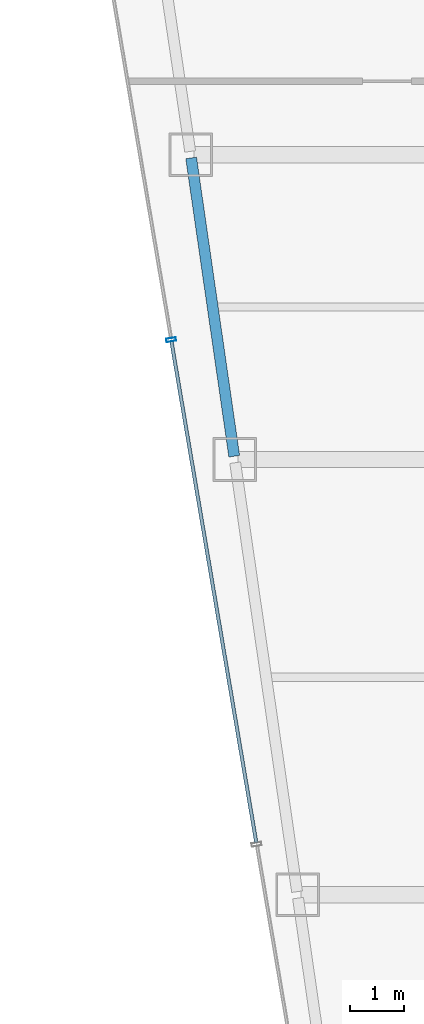
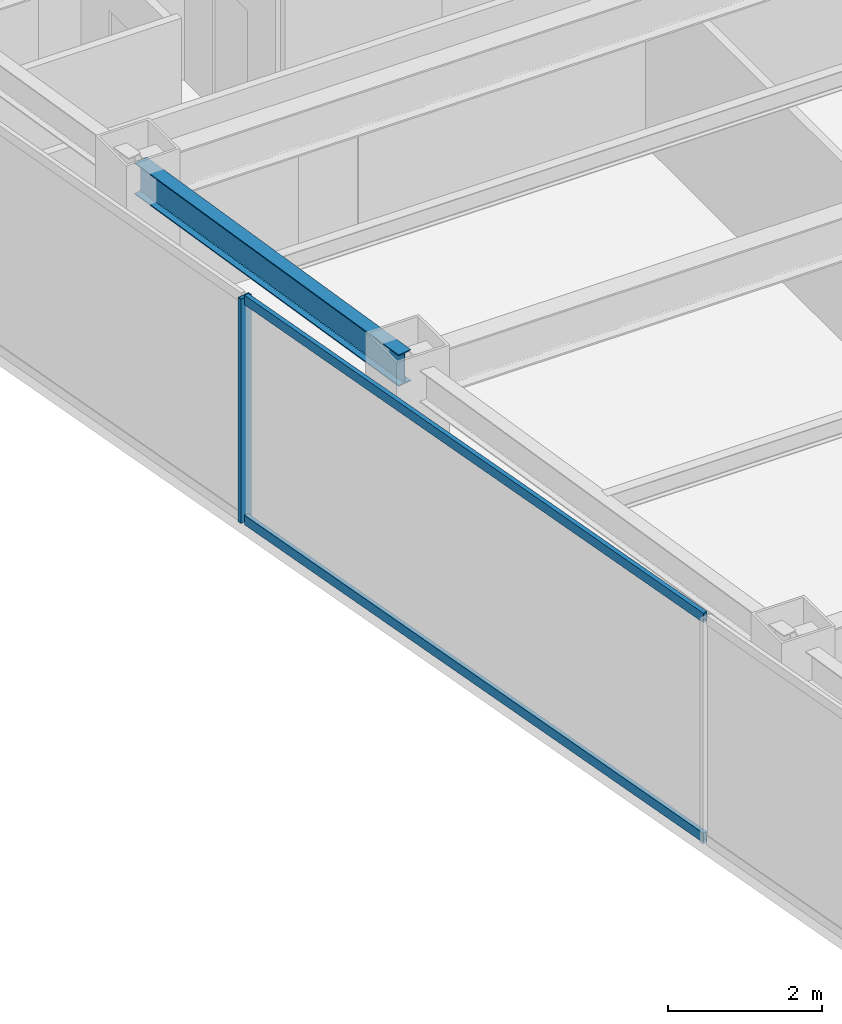
# One storey, part 9 of 35: 3 members, 1 beam, 1 element without a shape of its own.
"""IFC4 building model written with IfcOpenShell, lengths in metres."""

from ifc_helpers import new_model, si_unit, direction, frame, origin, origin_2d, place, context, subcontext, project, spatial, hollow_rectangle, i_section, extrude, material, material_profile, profile_set, type_object, element, aggregate, save


model = new_model("IFC4")

# Units and contexts
model_context = context("Model", 3, precision=1e-05, world=origin(), true_north=direction((0.0, 1.0)))
body_context = subcontext(model_context, "Body", "Model", "MODEL_VIEW")
ifc_project = project(units=[si_unit("LENGTHUNIT", "METRE"), si_unit("AREAUNIT", "SQUARE_METRE"), si_unit("VOLUMEUNIT", "CUBIC_METRE"), si_unit("PLANEANGLEUNIT", "RADIAN"), si_unit("MASSUNIT", "GRAM", prefix="KILO")], contexts=[model_context])

# Site, building, storey
site_placement = place(None, origin())
site = spatial("IfcSite", under=ifc_project, at=site_placement, CompositionType="ELEMENT")
building_placement = place(site_placement, origin())
building = spatial("IfcBuilding", under=site, at=building_placement, Name="Saevonmaru Cultural Tower", CompositionType="ELEMENT")
storey_placement = place(building_placement, frame((0.0, 0.0, 213.199951171875)))
storey = spatial("IfcBuildingStorey", under=building, at=storey_placement, Name="L49", CompositionType="ELEMENT", Elevation=213.199951171875)

# Beam
ifc_material_1 = material(Name="Steel SM355", Category="steel")
ifc_material_profile_1 = material_profile(ifc_material_1, i_section(OverallWidth=0.199951171875, OverallDepth=0.5, WebThickness=0.010009765625, FlangeThickness=0.01611328125, FilletRadius=0.02001953125, at=origin_2d()), Name="H-500x200x10x16")
ifc_profile_set_1 = profile_set([ifc_material_profile_1], Name="Steel SM355")
beam_type = type_object("IfcBeamType", Name="BM-SP-H500", PredefinedType="SPANDREL", material=ifc_profile_set_1)
beam_placement = place(storey_placement, frame((8.308349609375, 32.059326171875, 3.300048828125), z_axis=(-0.142964121327, 0.989727871697, 0.0), x_axis=(-0.989727871697, -0.142964121327, 0.0)))
element("IfcBeam", 1, at=beam_placement, inside=storey, type_object=beam_type, Name="L49 West Splayed Spandrel 3", PredefinedType="SPANDREL", context=body_context, shape_type="SweptSolid", body=[
    extrude(i_section(OverallWidth=0.199951171875, OverallDepth=0.5, WebThickness=0.010009765625, FlangeThickness=0.01611328125, FilletRadius=0.02001953125, at=origin_2d()), origin(), (0.0, 0.0, 1.0), 5.5380859375),
])

# Curtain wall, members
ifc_material_2 = material(Name="Satin Bronze Anodised Aluminium", Category="aluminium")
curtain_wall_type = type_object("IfcCurtainWallType", Name="CW-TYP-B", PredefinedType="NOTDEFINED", material=ifc_material_2)
curtain_wall_placement = place(storey_placement, origin())
curtain_wall = element("IfcCurtainWall", 2, at=curtain_wall_placement, inside=storey, type_object=curtain_wall_type, Name="L49 Unitised Curtain Wall E12", PredefinedType="NOTDEFINED")
ifc_material_profile_2 = material_profile(ifc_material_2, hollow_rectangle(XDim=0.06494140625, YDim=0.179931640625, WallThickness=0.00390625, at=origin_2d()), Name="ALU-MULL-180x65x4")
ifc_profile_set_2 = profile_set([ifc_material_profile_2], Name="Satin Bronze Anodised Aluminium")
member_type_1 = type_object("IfcMemberType", Name="ML-CW-180x65", PredefinedType="MULLION", material=ifc_profile_set_2)
member_1_placement = place(storey_placement, frame((7.14892578125, 34.199951171875, 0.0), z_axis=(0.0, 0.0, 1.0), x_axis=(0.16692169721, -0.985970155228, 0.0)))
member_1 = element("IfcMember", 3, at=member_1_placement, type_object=member_type_1, Name="CW-TW-L49-E12 mullion 3", PredefinedType="MULLION", context=body_context, shape_type="SweptSolid", body=[
    extrude(hollow_rectangle(XDim=0.06494140625, YDim=0.179931640625, WallThickness=0.00390625, at=origin_2d()), origin(), (0.0, 0.0, 1.0), 3.550048828125),
])
ifc_material_profile_3 = material_profile(ifc_material_2, hollow_rectangle(XDim=0.06494140625, YDim=0.14990234375, WallThickness=0.00390625, at=origin_2d()), Name="ALU-TRAN-150x65x4")
ifc_profile_set_3 = profile_set([ifc_material_profile_3], Name="Satin Bronze Anodised Aluminium")
member_type_2 = type_object("IfcMemberType", Name="TR-CW-150x65", PredefinedType="USERDEFINED", material=ifc_profile_set_3)
member_2_placement = place(storey_placement, frame((7.154296875, 34.16796875, 0.032470703125), z_axis=(0.166921263871, -0.985970228591, 0.0), x_axis=(0.985970228591, 0.166921263871, 0.0)))
member_2 = element("IfcMember", 4, at=member_2_placement, type_object=member_type_2, Name="CW-TW-L49-E12 transom 3.1", ObjectType="TRANSOM", PredefinedType="USERDEFINED", context=body_context, shape_type="SweptSolid", body=[
    extrude(hollow_rectangle(XDim=0.06494140625, YDim=0.14990234375, WallThickness=0.00390625, at=origin_2d()), origin(), (0.0, 0.0, 1.0), 9.33740234375),
])
member_3_placement = place(storey_placement, frame((7.154296875, 34.16796875, 3.517578125), z_axis=(0.166921263871, -0.985970228591, 0.0), x_axis=(0.985970228591, 0.166921263871, 0.0)))
member_3 = element("IfcMember", 5, at=member_3_placement, type_object=member_type_2, Name="CW-TW-L49-E12 transom 3.2", ObjectType="TRANSOM", PredefinedType="USERDEFINED", context=body_context, shape_type="SweptSolid", body=[
    extrude(hollow_rectangle(XDim=0.06494140625, YDim=0.14990234375, WallThickness=0.00390625, at=origin_2d()), origin(), (0.0, 0.0, 1.0), 9.33740234375),
])
aggregate(curtain_wall, [member_1, member_2, member_3])

save(model, "model.ifc")
